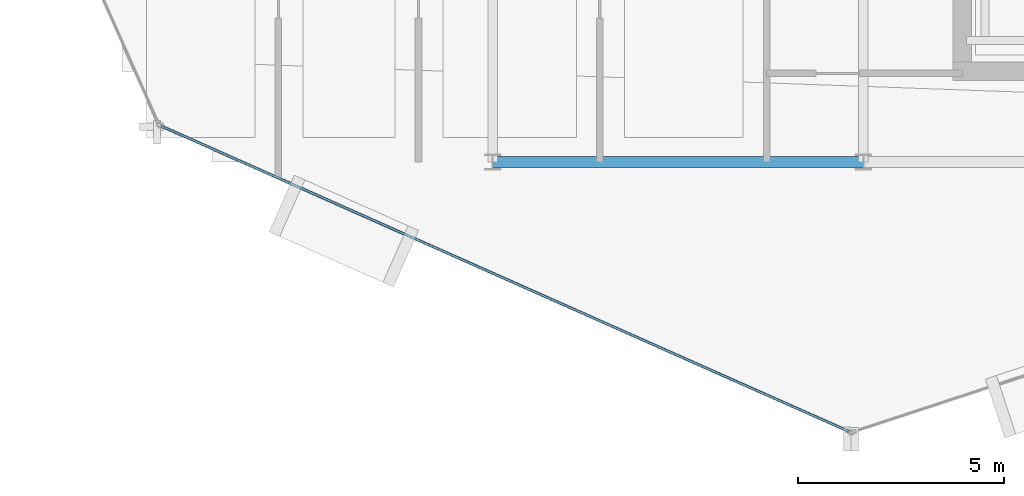
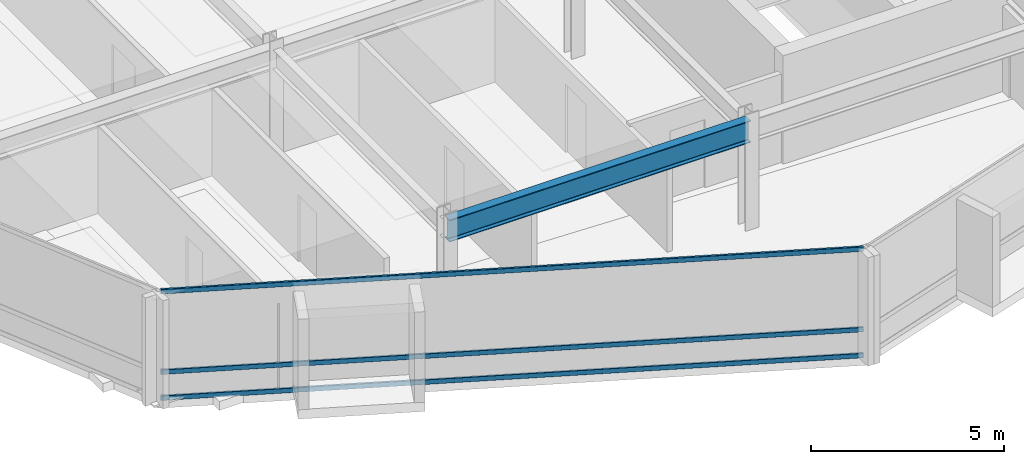
# One storey, part 3 of 27: 3 members, 1 beam, 1 element without a shape of its own.
"""IFC4 building model written with IfcOpenShell, lengths in metres."""

from ifc_helpers import new_model, si_unit, direction, frame, origin, origin_2d, place, context, subcontext, project, spatial, hollow_rectangle, i_section, extrude, material, layer, layer_set, material_profile, profile_set, type_object, element, aggregate, save


model = new_model("IFC4")

# Units and contexts
model_context = context("Model", 3, precision=1e-05, world=origin(), true_north=direction((0.0, 1.0)))
body_context = subcontext(model_context, "Body", "Model", "MODEL_VIEW")
ifc_project = project(units=[si_unit("LENGTHUNIT", "METRE"), si_unit("AREAUNIT", "SQUARE_METRE"), si_unit("VOLUMEUNIT", "CUBIC_METRE"), si_unit("PLANEANGLEUNIT", "RADIAN"), si_unit("MASSUNIT", "GRAM", prefix="KILO")], contexts=[model_context])

# Site, building, storey
site_placement = place(None, origin())
site = spatial("IfcSite", under=ifc_project, at=site_placement, CompositionType="ELEMENT")
building_placement = place(site_placement, origin())
building = spatial("IfcBuilding", under=site, at=building_placement, Name="Solvaryn Broadcast Tower", CompositionType="ELEMENT")
storey_placement = place(building_placement, frame((0.0, 0.0, 224.699951171875)))
storey = spatial("IfcBuildingStorey", under=building, at=storey_placement, Name="L56", CompositionType="ELEMENT", Elevation=224.699951171875)

# Beam
ifc_material_1 = material(Name="Steel ASTM A992 Grade 50", Category="steel")
ifc_material_profile_1 = material_profile(ifc_material_1, i_section(OverallWidth=0.256103515625, OverallDepth=0.693115234375, WebThickness=0.014404296875, FlangeThickness=0.023681640625, FilletRadius=0.01611328125, at=origin_2d()))
ifc_profile_set_1 = profile_set([ifc_material_profile_1], Name="Steel ASTM A992 Grade 50")
beam_type = type_object("IfcBeamType", Name="BM-SP3-W27X114", PredefinedType="USERDEFINED", material=ifc_profile_set_1)
beam_placement = place(storey_placement, frame((18.0, 9.0, 3.073486328125), z_axis=(1.0, 0.0, 0.0), x_axis=(0.0, 1.0, 0.0)))
element("IfcBeam", 1, at=beam_placement, inside=storey, type_object=beam_type, Name="L56 Spandrel Beam X (18-27 @ Y=9)", ObjectType="SPANDREL", PredefinedType="USERDEFINED", context=body_context, shape_type="SweptSolid", body=[
    extrude(i_section(OverallWidth=0.256103515625, OverallDepth=0.693115234375, WebThickness=0.014404296875, FlangeThickness=0.023681640625, FilletRadius=0.01611328125, at=origin_2d()), origin(), (0.0, 0.0, 1.0), 9.0),
])

# Curtain wall, members
ifc_material_2 = material(Name="Aluminium and Terracotta Unitised Curtain Wall", Category="masonry")
ifc_layer = layer(ifc_material_2, 0.199951171875)
ifc_layer_set = layer_set([ifc_layer], Name="CW-SYS2-LOWMID")
curtain_wall_type = type_object("IfcCurtainWallType", Name="CW-SYS2-LOWMID", PredefinedType="NOTDEFINED", material=ifc_layer_set)
curtain_wall_placement = place(storey_placement, origin())
curtain_wall = element("IfcCurtainWall", 2, at=curtain_wall_placement, inside=storey, type_object=curtain_wall_type, Name="L56 Curtain Wall DR3", PredefinedType="NOTDEFINED")
ifc_material_3 = material(Name="Anodised Aluminium 6063-T6", Category="aluminium")
ifc_material_profile_2 = material_profile(ifc_material_3, hollow_rectangle(XDim=0.06494140625, YDim=0.14990234375, WallThickness=0.00390625, InnerFilletRadius=0.00390625, OuterFilletRadius=0.008056640625, at=origin_2d()))
ifc_profile_set_2 = profile_set([ifc_material_profile_2], Name="Anodised Aluminium 6063-T6")
member_type = type_object("IfcMemberType", Name="CW-TRN-150", PredefinedType="USERDEFINED", material=ifc_profile_set_2)
member_1_placement = place(storey_placement, frame((9.952880859375, 9.87353515625, 0.030029296875), z_axis=(0.913916761992, -0.405901653299, 0.0), x_axis=(0.405901653299, 0.913916761992, 0.0)))
member_1 = element("IfcMember", 3, at=member_1_placement, type_object=member_type, Name="CWS2 transom 1.1", ObjectType="TRANSOM", PredefinedType="USERDEFINED", context=body_context, shape_type="SweptSolid", body=[
    extrude(hollow_rectangle(XDim=0.06494140625, YDim=0.14990234375, WallThickness=0.00390625, InnerFilletRadius=0.00390625, OuterFilletRadius=0.008056640625, at=origin_2d()), origin(), (0.0, 0.0, 1.0), 18.27099609375),
])
member_2_placement = place(storey_placement, frame((9.952880859375, 9.87353515625, 0.85009765625), z_axis=(0.913916761992, -0.405901653299, 0.0), x_axis=(0.405901653299, 0.913916761992, 0.0)))
member_2 = element("IfcMember", 4, at=member_2_placement, type_object=member_type, Name="CWS2 transom 1.2", ObjectType="TRANSOM", PredefinedType="USERDEFINED", context=body_context, shape_type="SweptSolid", body=[
    extrude(hollow_rectangle(XDim=0.06494140625, YDim=0.14990234375, WallThickness=0.00390625, InnerFilletRadius=0.00390625, OuterFilletRadius=0.008056640625, at=origin_2d()), origin(), (0.0, 0.0, 1.0), 18.27099609375),
])
member_3_placement = place(storey_placement, frame((9.952880859375, 9.87353515625, 3.39013671875), z_axis=(0.913916761992, -0.405901653299, 0.0), x_axis=(0.405901653299, 0.913916761992, 0.0)))
member_3 = element("IfcMember", 5, at=member_3_placement, type_object=member_type, Name="CWS2 transom 1.3", ObjectType="TRANSOM", PredefinedType="USERDEFINED", context=body_context, shape_type="SweptSolid", body=[
    extrude(hollow_rectangle(XDim=0.06494140625, YDim=0.14990234375, WallThickness=0.00390625, InnerFilletRadius=0.00390625, OuterFilletRadius=0.008056640625, at=origin_2d()), origin(), (0.0, 0.0, 1.0), 18.27099609375),
])
aggregate(curtain_wall, [member_1, member_2, member_3])

save(model, "model.ifc")
